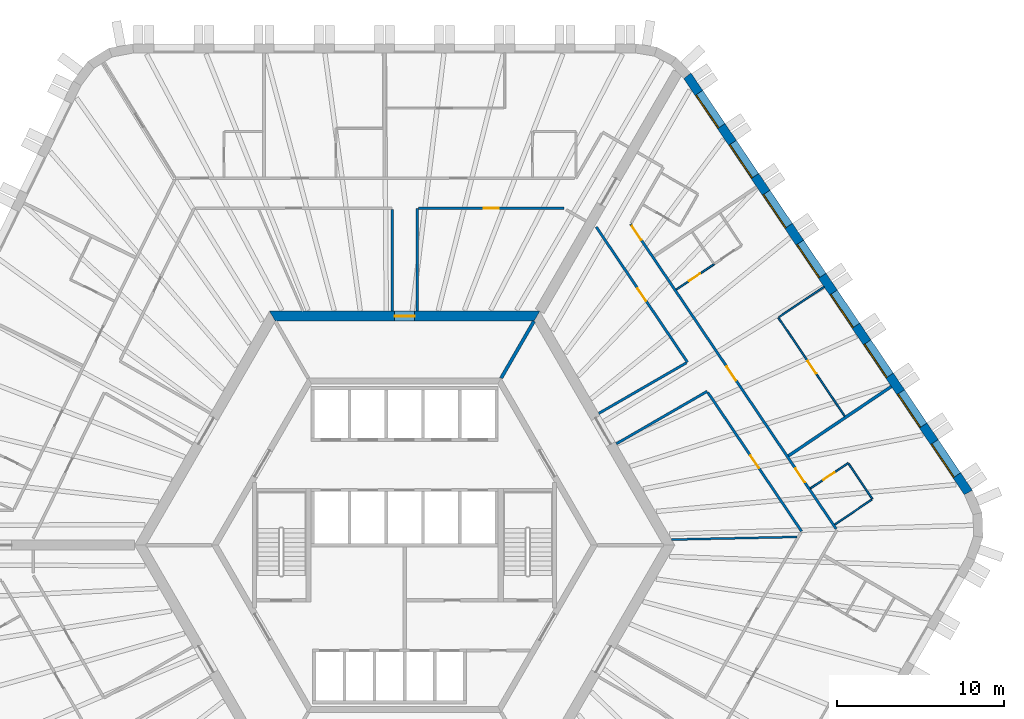
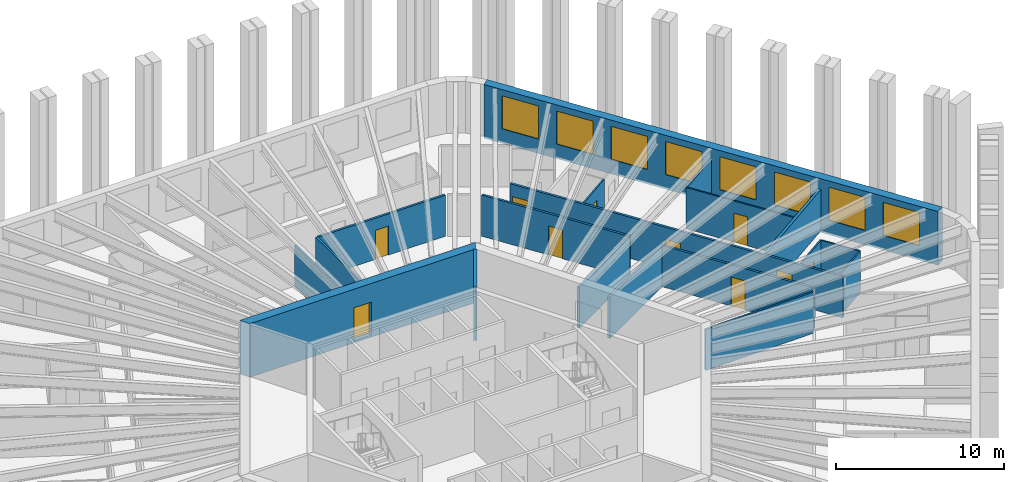
# One storey, part 9 of 13: 19 walls, 10 doors, 8 windows, 18 openings.
"""IFC4 building model written with IfcOpenShell, lengths in metres."""

from ifc_helpers import new_model, si_unit, direction, frame, frame_2d, origin, place, context, subcontext, project, spatial, polyline, rectangle, outline, extrude, material, layer, layer_set, type_object, element, fill, save


model = new_model("IFC4")

# Units and contexts
model_context = context("Model", 3, precision=1e-05, world=origin(), true_north=direction((0.0, 1.0)))
body_context = subcontext(model_context, "Body", "Model", "MODEL_VIEW")
ifc_project = project(units=[si_unit("LENGTHUNIT", "METRE"), si_unit("AREAUNIT", "SQUARE_METRE"), si_unit("VOLUMEUNIT", "CUBIC_METRE"), si_unit("PLANEANGLEUNIT", "RADIAN"), si_unit("MASSUNIT", "GRAM", prefix="KILO")], contexts=[model_context])

# Site, building, storey
site_placement = place(None, origin())
site = spatial("IfcSite", under=ifc_project, at=site_placement, CompositionType="ELEMENT")
building_placement = place(site_placement, origin())
building = spatial("IfcBuilding", under=site, at=building_placement, Name="Tarnside Tower", CompositionType="ELEMENT")
storey_placement = place(building_placement, frame((0.0, 0.0, 123.300048828125)))
storey = spatial("IfcBuildingStorey", under=building, at=storey_placement, Name="L28", CompositionType="ELEMENT", Elevation=123.300048828125)

# Wall, opening, door
ifc_material_1 = material(Name="Gypsum board partition on steel studs", Category="steel")
ifc_layer_1 = layer(ifc_material_1, 0.10009765625)
ifc_layer_set_1 = layer_set([ifc_layer_1], Name="Bathroom wall 100")
wall_type_1 = type_object("IfcWallType", Name="Bathroom wall 100", PredefinedType="PARTITIONING", material=ifc_layer_set_1)
wall_1_placement = place(storey_placement, frame((24.27978515625, 3.390869140625, 0.0), z_axis=(0.0, 0.0, 1.0), x_axis=(0.829005477618, 0.559240483226, 0.0)))
wall_1 = element("IfcWall", 1, at=wall_1_placement, inside=storey, type_object=wall_type_1, Name="Bathroom wall 09157", PredefinedType="PARTITIONING", context=body_context, shape_type="SweptSolid", body=[
    extrude(rectangle(XDim=2.72509765625, YDim=0.10009765625, at=frame_2d((1.362548828125, 0.0))), origin(), (0.0, 0.0, 1.0), 2.98779296875),
])
opening_1_placement = place(wall_1_placement, frame((0.925048828125, 0.0, 0.0)))
opening_1 = element("IfcOpeningElement", 2, at=opening_1_placement, cuts=wall_1, Name="Opening D-B1", PredefinedType="OPENING", context=body_context, shape_type="SweptSolid", body=[
    extrude(rectangle(XDim=0.800048828125, YDim=2.10009765625, at=frame_2d((0.39990234375, 1.050048828125))), frame((0.0, 0.06005859375, 0.0), z_axis=(0.0, -1.0, 0.0), x_axis=(1.0, 0.0, 0.0)), (0.0, 0.0, 1.0), 0.1201171875),
])
ifc_material_2 = material(Name="Timber door leaf", Category="wood")
door_type_1 = type_object("IfcDoorType", Name="Bathroom door 800", OperationType="NOTDEFINED", PredefinedType="DOOR", material=ifc_material_2)
door_1_placement = place(opening_1_placement, origin())
door_1 = element("IfcDoor", 3, at=door_1_placement, inside=storey, type_object=door_type_1, Name="Bathroom door 09038", OperationType="SINGLE_SWING_RIGHT", OverallHeight=2.10009765625, OverallWidth=0.800048828125, PredefinedType="DOOR", context=body_context, shape_type="SweptSolid", body=[
    extrude(rectangle(XDim=0.800048828125, YDim=2.10009765625, at=frame_2d((0.39990234375, 1.050048828125))), frame((0.0, 0.02490234375, 0.0), z_axis=(0.0, -1.0, 0.0), x_axis=(1.0, 0.0, 0.0)), (0.0, 0.0, 1.0), 0.050048828125),
])
fill(opening_1, door_1)

# Walls
wall_2_placement = place(storey_placement, frame((26.56689453125, 4.873291015625, 0.0), z_axis=(0.0, 0.0, 1.0), x_axis=(0.559155442782, -0.829062838878, 0.0)))
element("IfcWall", 4, at=wall_2_placement, inside=storey, type_object=wall_type_1, Name="Bathroom wall 09158", PredefinedType="PARTITIONING", context=body_context, shape_type="SweptSolid", body=[
    extrude(rectangle(XDim=2.5498046875, YDim=0.10009765625, at=frame_2d((1.27490234375, 0.0))), origin(), (0.0, 0.0, 1.0), 2.98779296875),
])
wall_3_placement = place(storey_placement, frame((27.951416015625, 2.731201171875, 0.0), z_axis=(0.0, 0.0, 1.0), x_axis=(-0.82904753069, -0.559178139645, 0.0)))
element("IfcWall", 5, at=wall_3_placement, inside=storey, type_object=wall_type_1, Name="Bathroom wall 09159", PredefinedType="PARTITIONING", context=body_context, shape_type="SweptSolid", body=[
    extrude(rectangle(XDim=2.675048828125, YDim=0.10009765625, at=frame_2d((1.33740234375, 0.0))), origin(), (0.0, 0.0, 1.0), 2.98779296875),
])

# Wall, opening, door
wall_4_placement = place(storey_placement, frame((18.51171875, 16.8154296875, 0.0), z_axis=(0.0, 0.0, 1.0), x_axis=(-0.829005477618, -0.559240483226, 0.0)))
wall_4 = element("IfcWall", 6, at=wall_4_placement, inside=storey, type_object=wall_type_1, Name="Bathroom wall 09162", PredefinedType="PARTITIONING", context=body_context, shape_type="SweptSolid", body=[
    extrude(rectangle(XDim=2.72509765625, YDim=0.10009765625, at=frame_2d((1.362548828125, 0.0))), origin(), (0.0, 0.0, 1.0), 2.98779296875),
])
opening_2_placement = place(wall_4_placement, frame((1.0, 0.0, 0.0)))
opening_2 = element("IfcOpeningElement", 7, at=opening_2_placement, cuts=wall_4, Name="Opening D-B1", PredefinedType="OPENING", context=body_context, shape_type="SweptSolid", body=[
    extrude(rectangle(XDim=0.800048828125, YDim=2.10009765625, at=frame_2d((0.39990234375, 1.050048828125))), frame((0.0, 0.06005859375, 0.0), z_axis=(0.0, -1.0, 0.0), x_axis=(1.0, 0.0, 0.0)), (0.0, 0.0, 1.0), 0.1201171875),
])
door_2_placement = place(opening_2_placement, origin())
door_2 = element("IfcDoor", 8, at=door_2_placement, inside=storey, type_object=door_type_1, Name="Bathroom door 09040", OperationType="SINGLE_SWING_LEFT", OverallHeight=2.10009765625, OverallWidth=0.800048828125, PredefinedType="DOOR", context=body_context, shape_type="SweptSolid", body=[
    extrude(rectangle(XDim=0.800048828125, YDim=2.10009765625, at=frame_2d((0.39990234375, 1.050048828125))), frame((0.0, 0.02490234375, 0.0), z_axis=(0.0, -1.0, 0.0), x_axis=(1.0, 0.0, 0.0)), (0.0, 0.0, 1.0), 0.050048828125),
])
fill(opening_2, door_2)

ifc_material_3 = material(Name="Concrete C80/95", Category="concrete")
ifc_layer_2 = layer(ifc_material_3, 0.60009765625)
ifc_layer_set_2 = layer_set([ifc_layer_2], Name="Core wall Z1 600 C80/95")
wall_type_2 = type_object("IfcWallType", Name="Core wall Z1 600 C80/95", PredefinedType="SHEAR", material=ifc_layer_set_2)
wall_5_placement = place(storey_placement, frame((7.90966796875, 13.699951171875, -0.150146484375), z_axis=(0.0, 0.0, 1.0), x_axis=(-1.0, 0.0, 0.0)))
wall_5 = element("IfcWall", 9, at=wall_5_placement, inside=storey, type_object=wall_type_2, Name="L28 core wall face 1", PredefinedType="SHEAR", context=body_context, shape_type="SweptSolid", body=[
    extrude(outline(polyline([(-0.17333984375, -0.300048828125), (15.99267578125, -0.300048828125), (15.64599609375, 0.300048828125), (0.17333984375, 0.300048828125), (-0.17333984375, -0.300048828125)])), origin(), (0.0, 0.0, 1.0), 3.900146484375),
])
opening_3_placement = place(wall_5_placement, frame((7.309814453125, 0.0, 0.14990234375)))
opening_3 = element("IfcOpeningElement", 10, at=opening_3_placement, cuts=wall_5, Name="Opening CD-RSR", PredefinedType="OPENING", context=body_context, shape_type="SweptSolid", body=[
    extrude(rectangle(XDim=1.199951171875, YDim=2.39990234375, at=frame_2d((0.60009765625, 1.199951171875))), frame((0.0, 0.31005859375, 0.0), z_axis=(0.0, -1.0, 0.0), x_axis=(1.0, 0.0, 0.0)), (0.0, 0.0, 1.0), 0.6201171875),
])
ifc_material_4 = material(Name="Steel fire door", Category="steel")
door_type_2 = type_object("IfcDoorType", Name="Riser door FD60 1200x2400", OperationType="NOTDEFINED", PredefinedType="DOOR", material=ifc_material_4)
door_3_placement = place(opening_3_placement, origin())
door_3 = element("IfcDoor", 11, at=door_3_placement, inside=storey, type_object=door_type_2, Name="L28 core door S5", OperationType="SINGLE_SWING_LEFT", OverallHeight=2.39990234375, OverallWidth=1.199951171875, PredefinedType="DOOR", context=body_context, shape_type="SweptSolid", body=[
    extrude(rectangle(XDim=1.199951171875, YDim=2.39990234375, at=frame_2d((0.60009765625, 1.199951171875))), frame((0.0, 0.02490234375, 0.0), z_axis=(0.0, -1.0, 0.0), x_axis=(1.0, 0.0, 0.0)), (0.0, 0.0, 1.0), 0.050048828125),
])
fill(opening_3, door_3)

# Walls
ifc_layer_3 = layer(ifc_material_1, 0.14990234375)
ifc_layer_set_3 = layer_set([ifc_layer_3], Name="Corridor wall 150 EI 60")
wall_type_3 = type_object("IfcWallType", Name="Corridor wall 150 EI 60", PredefinedType="PARTITIONING", material=ifc_layer_set_3)
wall_6_placement = place(storey_placement, frame((-0.75, 20.074951171875, 0.0), z_axis=(0.0, 0.0, 1.0), x_axis=(0.0, -1.0, 0.0)))
element("IfcWall", 12, at=wall_6_placement, inside=storey, type_object=wall_type_3, Name="Corridor wall 09018", PredefinedType="PARTITIONING", context=body_context, shape_type="SweptSolid", body=[
    extrude(rectangle(XDim=6.074951171875, YDim=0.14990234375, at=frame_2d((3.03759765625, 0.0))), origin(), (0.0, 0.0, 1.0), 2.98779296875),
])
wall_7_placement = place(storey_placement, frame((0.75, 14.0, 0.0), z_axis=(0.0, 0.0, 1.0), x_axis=(0.0, 1.0, 0.0)))
element("IfcWall", 13, at=wall_7_placement, inside=storey, type_object=wall_type_3, Name="Corridor wall 09022", PredefinedType="PARTITIONING", context=body_context, shape_type="SweptSolid", body=[
    extrude(rectangle(XDim=6.14990234375, YDim=0.14990234375, at=frame_2d((3.074951171875, 0.0))), origin(), (0.0, 0.0, 1.0), 2.98779296875),
])

# Wall, opening, door
wall_8_placement = place(storey_placement, frame((0.824951171875, 20.14990234375, 0.0), z_axis=(0.0, 0.0, 1.0), x_axis=(1.0, 0.0, 0.0)))
wall_8 = element("IfcWall", 14, at=wall_8_placement, inside=storey, type_object=wall_type_3, Name="Corridor wall 09023", PredefinedType="PARTITIONING", context=body_context, shape_type="SweptSolid", body=[
    extrude(rectangle(XDim=8.712158203125, YDim=0.14990234375, at=frame_2d((4.35595703125, 0.0))), origin(), (0.0, 0.0, 1.0), 2.98779296875),
])
opening_4_placement = place(wall_8_placement, frame((3.906005859375, 0.0, 0.0)))
opening_4 = element("IfcOpeningElement", 15, at=opening_4_placement, cuts=wall_8, Name="Opening D-S1", PredefinedType="OPENING", context=body_context, shape_type="SweptSolid", body=[
    extrude(rectangle(XDim=0.89990234375, YDim=2.10009765625, at=frame_2d((0.449951171875, 1.050048828125))), frame((0.0, 0.0849609375, 0.0), z_axis=(0.0, -1.0, 0.0), x_axis=(1.0, 0.0, 0.0)), (0.0, 0.0, 1.0), 0.169921875),
])
door_type_3 = type_object("IfcDoorType", Name="Service room door 900 FD30S", OperationType="NOTDEFINED", PredefinedType="DOOR", material=ifc_material_2)
door_4_placement = place(opening_4_placement, origin())
door_4 = element("IfcDoor", 16, at=door_4_placement, inside=storey, type_object=door_type_3, Name="Service door 09047", OperationType="SINGLE_SWING_RIGHT", OverallHeight=2.10009765625, OverallWidth=0.89990234375, PredefinedType="DOOR", context=body_context, shape_type="SweptSolid", body=[
    extrude(rectangle(XDim=0.89990234375, YDim=2.10009765625, at=frame_2d((0.449951171875, 1.050048828125))), frame((0.0, 0.02490234375, 0.0), z_axis=(0.0, -1.0, 0.0), x_axis=(1.0, 0.0, 0.0)), (0.0, 0.0, 1.0), 0.050048828125),
])
fill(opening_4, door_4)

# Wall, openings, doors
wall_9_placement = place(storey_placement, frame((25.820556640625, 0.972412109375, 0.0), z_axis=(0.0, 0.0, 1.0), x_axis=(-0.559193816298, 0.829036956845, 0.0)))
wall_9 = element("IfcWall", 17, at=wall_9_placement, inside=storey, type_object=wall_type_3, Name="Corridor wall 09060", PredefinedType="PARTITIONING", context=body_context, shape_type="SweptSolid", body=[
    extrude(rectangle(XDim=22.001708984375, YDim=0.14990234375, at=frame_2d((11.0009765625, 0.0))), origin(), (0.0, 0.0, 1.0), 2.98779296875),
])
opening_5_placement = place(wall_9_placement, frame((3.368896484375, 0.0, 0.0)))
opening_5 = element("IfcOpeningElement", 18, at=opening_5_placement, cuts=wall_9, Name="Opening D-E1", PredefinedType="OPENING", context=body_context, shape_type="SweptSolid", body=[
    extrude(rectangle(XDim=1.0, YDim=2.10009765625, at=frame_2d((0.5, 1.050048828125))), frame((0.0, 0.0849609375, 0.0), z_axis=(0.0, -1.0, 0.0), x_axis=(1.0, 0.0, 0.0)), (0.0, 0.0, 1.0), 0.169921875),
])
opening_6_placement = place(wall_9_placement, frame((10.721435546875, 0.0, 0.0)))
opening_6 = element("IfcOpeningElement", 19, at=opening_6_placement, cuts=wall_9, Name="Opening D-E1", PredefinedType="OPENING", context=body_context, shape_type="SweptSolid", body=[
    extrude(rectangle(XDim=1.0, YDim=2.10009765625, at=frame_2d((0.5, 1.050048828125))), frame((0.0, 0.0849609375, 0.0), z_axis=(0.0, -1.0, 0.0), x_axis=(1.0, 0.0, 0.0)), (0.0, 0.0, 1.0), 0.169921875),
])
opening_7_placement = place(wall_9_placement, frame((20.851806640625, 0.0, 0.0)))
opening_7 = element("IfcOpeningElement", 20, at=opening_7_placement, cuts=wall_9, Name="Opening D-E1", PredefinedType="OPENING", context=body_context, shape_type="SweptSolid", body=[
    extrude(rectangle(XDim=1.0, YDim=2.10009765625, at=frame_2d((0.5, 1.050048828125))), frame((0.0, 0.0849609375, 0.0), z_axis=(0.0, -1.0, 0.0), x_axis=(1.0, 0.0, 0.0)), (0.0, 0.0, 1.0), 0.169921875),
])
door_type_4 = type_object("IfcDoorType", Name="Unit entrance door 1000 FD30S", OperationType="NOTDEFINED", PredefinedType="DOOR", material=ifc_material_2)
door_5_placement = place(opening_5_placement, origin())
door_5 = element("IfcDoor", 21, at=door_5_placement, inside=storey, type_object=door_type_4, Name="Unit door 09037", OperationType="SINGLE_SWING_LEFT", OverallHeight=2.10009765625, OverallWidth=1.0, PredefinedType="DOOR", context=body_context, shape_type="SweptSolid", body=[
    extrude(rectangle(XDim=1.0, YDim=2.10009765625, at=frame_2d((0.5, 1.050048828125))), frame((0.0, 0.02490234375, 0.0), z_axis=(0.0, -1.0, 0.0), x_axis=(1.0, 0.0, 0.0)), (0.0, 0.0, 1.0), 0.050048828125),
])
fill(opening_5, door_5)
door_6_placement = place(opening_6_placement, origin())
door_6 = element("IfcDoor", 22, at=door_6_placement, inside=storey, type_object=door_type_4, Name="Unit door 09039", OperationType="SINGLE_SWING_RIGHT", OverallHeight=2.10009765625, OverallWidth=1.0, PredefinedType="DOOR", context=body_context, shape_type="SweptSolid", body=[
    extrude(rectangle(XDim=1.0, YDim=2.10009765625, at=frame_2d((0.5, 1.050048828125))), frame((0.0, 0.02490234375, 0.0), z_axis=(0.0, -1.0, 0.0), x_axis=(1.0, 0.0, 0.0)), (0.0, 0.0, 1.0), 0.050048828125),
])
fill(opening_6, door_6)
door_7_placement = place(opening_7_placement, origin())
door_7 = element("IfcDoor", 23, at=door_7_placement, inside=storey, type_object=door_type_4, Name="Unit door 09043", OperationType="SINGLE_SWING_LEFT", OverallHeight=2.10009765625, OverallWidth=1.0, PredefinedType="DOOR", context=body_context, shape_type="SweptSolid", body=[
    extrude(rectangle(XDim=1.0, YDim=2.10009765625, at=frame_2d((0.5, 1.050048828125))), frame((0.0, 0.02490234375, 0.0), z_axis=(0.0, -1.0, 0.0), x_axis=(1.0, 0.0, 0.0)), (0.0, 0.0, 1.0), 0.050048828125),
])
fill(opening_7, door_7)

# Wall
wall_10_placement = place(storey_placement, frame((12.663818359375, 6.065673828125, 0.0), z_axis=(0.0, 0.0, 1.0), x_axis=(0.866036561919, 0.499980673046, 0.0)))
element("IfcWall", 24, at=wall_10_placement, inside=storey, type_object=wall_type_3, Name="Corridor wall 09073", PredefinedType="PARTITIONING", context=body_context, shape_type="SweptSolid", body=[
    extrude(rectangle(XDim=6.274658203125, YDim=0.14990234375, at=frame_2d((3.13720703125, 0.0))), origin(), (0.0, 0.0, 1.0), 2.98779296875),
])

# Wall, opening, door
wall_11_placement = place(storey_placement, frame((18.139892578125, 9.140625, 0.0), z_axis=(0.0, 0.0, 1.0), x_axis=(0.55918799196, -0.829040885389, 0.0)))
wall_11 = element("IfcWall", 25, at=wall_11_placement, inside=storey, type_object=wall_type_3, Name="Corridor wall 09074", PredefinedType="PARTITIONING", context=body_context, shape_type="SweptSolid", body=[
    extrude(rectangle(XDim=10.025146484375, YDim=0.14990234375, at=frame_2d((5.0126953125, 0.0))), origin(), (0.0, 0.0, 1.0), 2.98779296875),
])
opening_8_placement = place(wall_11_placement, frame((4.562744140625, 0.0, 0.0)))
opening_8 = element("IfcOpeningElement", 26, at=opening_8_placement, cuts=wall_11, Name="Opening D-S1", PredefinedType="OPENING", context=body_context, shape_type="SweptSolid", body=[
    extrude(rectangle(XDim=0.89990234375, YDim=2.10009765625, at=frame_2d((0.449951171875, 1.050048828125))), frame((0.0, 0.0849609375, 0.0), z_axis=(0.0, -1.0, 0.0), x_axis=(1.0, 0.0, 0.0)), (0.0, 0.0, 1.0), 0.169921875),
])
door_8_placement = place(opening_8_placement, origin())
door_8 = element("IfcDoor", 27, at=door_8_placement, inside=storey, type_object=door_type_3, Name="Service door 09054", OperationType="SINGLE_SWING_RIGHT", OverallHeight=2.10009765625, OverallWidth=0.89990234375, PredefinedType="DOOR", context=body_context, shape_type="SweptSolid", body=[
    extrude(rectangle(XDim=0.89990234375, YDim=2.10009765625, at=frame_2d((0.449951171875, 1.050048828125))), frame((0.0, 0.02490234375, 0.0), z_axis=(0.0, -1.0, 0.0), x_axis=(1.0, 0.0, 0.0)), (0.0, 0.0, 1.0), 0.050048828125),
])
fill(opening_8, door_8)

wall_12_placement = place(storey_placement, frame((11.464599609375, 19.037109375, 0.0), z_axis=(0.0, 0.0, 1.0), x_axis=(0.559196064773, -0.829035440221, 0.0)))
wall_12 = element("IfcWall", 28, at=wall_12_placement, inside=storey, type_object=wall_type_3, Name="Corridor wall 09079", PredefinedType="PARTITIONING", context=body_context, shape_type="SweptSolid", body=[
    extrude(rectangle(XDim=9.757080078125, YDim=0.14990234375, at=frame_2d((4.87841796875, 0.0))), origin(), (0.0, 0.0, 1.0), 2.98779296875),
])
opening_9_placement = place(wall_12_placement, frame((4.428466796875, 0.0, 0.0)))
opening_9 = element("IfcOpeningElement", 29, at=opening_9_placement, cuts=wall_12, Name="Opening D-S1", PredefinedType="OPENING", context=body_context, shape_type="SweptSolid", body=[
    extrude(rectangle(XDim=0.89990234375, YDim=2.10009765625, at=frame_2d((0.449951171875, 1.050048828125))), frame((0.0, 0.0849609375, 0.0), z_axis=(0.0, -1.0, 0.0), x_axis=(1.0, 0.0, 0.0)), (0.0, 0.0, 1.0), 0.169921875),
])
door_9_placement = place(opening_9_placement, origin())
door_9 = element("IfcDoor", 30, at=door_9_placement, inside=storey, type_object=door_type_3, Name="Service door 09056", OperationType="SINGLE_SWING_RIGHT", OverallHeight=2.10009765625, OverallWidth=0.89990234375, PredefinedType="DOOR", context=body_context, shape_type="SweptSolid", body=[
    extrude(rectangle(XDim=0.89990234375, YDim=2.10009765625, at=frame_2d((0.449951171875, 1.050048828125))), frame((0.0, 0.02490234375, 0.0), z_axis=(0.0, -1.0, 0.0), x_axis=(1.0, 0.0, 0.0)), (0.0, 0.0, 1.0), 0.050048828125),
])
fill(opening_9, door_9)

# Walls
wall_13_placement = place(storey_placement, frame((16.85546875, 10.91064453125, 0.0), z_axis=(0.0, 0.0, 1.0), x_axis=(-0.866020343444, -0.500008764664, 0.0)))
element("IfcWall", 31, at=wall_13_placement, inside=storey, type_object=wall_type_3, Name="Corridor wall 09080", PredefinedType="PARTITIONING", context=body_context, shape_type="SweptSolid", body=[
    extrude(rectangle(XDim=6.052734375, YDim=0.14990234375, at=frame_2d((3.0263671875, 0.0))), origin(), (0.0, 0.0, 1.0), 2.98779296875),
])
ifc_layer_4 = layer(ifc_material_1, 0.179931640625)
ifc_layer_set_4 = layer_set([ifc_layer_4], Name="Demising wall 180 EI 60")
wall_type_4 = type_object("IfcWallType", Name="Demising wall 180 EI 60", PredefinedType="PARTITIONING", material=ifc_layer_set_4)
wall_14_placement = place(storey_placement, frame((29.11865234375, 9.4951171875, 0.0), z_axis=(0.0, 0.0, 1.0), x_axis=(-0.829038452737, -0.559191598545, 0.0)))
element("IfcWall", 32, at=wall_14_placement, inside=storey, type_object=wall_type_4, Name="Demising wall 09160", PredefinedType="PARTITIONING", context=body_context, shape_type="SweptSolid", body=[
    extrude(rectangle(XDim=7.42529296875, YDim=0.179931640625, at=frame_2d((3.712646484375, 0.0))), origin(), (0.0, 0.0, 1.0), 2.98779296875),
])
ifc_material_5 = material(Name="Concrete C40/50", Category="concrete")
ifc_layer_5 = layer(ifc_material_5, 0.199951171875)
ifc_layer_set_5 = layer_set([ifc_layer_5], Name="Lift shaft wall 200 C40/50")
wall_type_5 = type_object("IfcWallType", Name="Lift shaft wall 200 C40/50", PredefinedType="SHEAR", material=ifc_layer_set_5)
wall_15_placement = place(storey_placement, frame((5.7734375, 10.0, -0.150146484375), z_axis=(0.0, 0.0, 1.0), x_axis=(0.500038251005, 0.86600331843, 0.0)))
element("IfcWall", 33, at=wall_15_placement, inside=storey, type_object=wall_type_5, Name="L28 core partition AR60", PredefinedType="SHEAR", context=body_context, shape_type="SweptSolid", body=[
    extrude(rectangle(XDim=3.926025390625, YDim=0.199951171875, at=frame_2d((1.962890625, 0.0))), origin(), (0.0, 0.0, 1.0), 3.900146484375),
])

# Wall, opening, door
ifc_layer_6 = layer(ifc_material_1, 0.10009765625)
ifc_layer_set_6 = layer_set([ifc_layer_6], Name="Partition 100")
wall_type_6 = type_object("IfcWallType", Name="Partition 100", PredefinedType="PARTITIONING", material=ifc_layer_set_6)
wall_16_placement = place(storey_placement, frame((26.33251953125, 7.724365234375, 0.0), z_axis=(0.0, 0.0, 1.0), x_axis=(-0.559185029686, 0.829042883435, 0.0)))
wall_16 = element("IfcWall", 34, at=wall_16_placement, inside=storey, type_object=wall_type_6, Name="Partition wall 09165", PredefinedType="PARTITIONING", context=body_context, shape_type="SweptSolid", body=[
    extrude(rectangle(XDim=7.110107421875, YDim=0.10009765625, at=frame_2d((3.55517578125, 0.0))), origin(), (0.0, 0.0, 1.0), 2.98779296875),
])
opening_10_placement = place(wall_16_placement, frame((3.06005859375, 0.0, 0.0)))
opening_10 = element("IfcOpeningElement", 35, at=opening_10_placement, cuts=wall_16, Name="Opening D-I1", PredefinedType="OPENING", context=body_context, shape_type="SweptSolid", body=[
    extrude(rectangle(XDim=0.89990234375, YDim=2.10009765625, at=frame_2d((0.449951171875, 1.050048828125))), frame((0.0, 0.06005859375, 0.0), z_axis=(0.0, -1.0, 0.0), x_axis=(1.0, 0.0, 0.0)), (0.0, 0.0, 1.0), 0.1201171875),
])
door_type_5 = type_object("IfcDoorType", Name="Internal door 900", OperationType="NOTDEFINED", PredefinedType="DOOR", material=ifc_material_2)
door_10_placement = place(opening_10_placement, origin())
door_10 = element("IfcDoor", 36, at=door_10_placement, inside=storey, type_object=door_type_5, Name="Internal door 09042", OperationType="SINGLE_SWING_RIGHT", OverallHeight=2.10009765625, OverallWidth=0.89990234375, PredefinedType="DOOR", context=body_context, shape_type="SweptSolid", body=[
    extrude(rectangle(XDim=0.89990234375, YDim=2.10009765625, at=frame_2d((0.449951171875, 1.050048828125))), frame((0.0, 0.02490234375, 0.0), z_axis=(0.0, -1.0, 0.0), x_axis=(1.0, 0.0, 0.0)), (0.0, 0.0, 1.0), 0.050048828125),
])
fill(opening_10, door_10)

# Walls
wall_17_placement = place(storey_placement, frame((22.39794921875, 13.646728515625, 0.0), z_axis=(0.0, 0.0, 1.0), x_axis=(0.829033253898, 0.55919930609, 0.0)))
element("IfcWall", 37, at=wall_17_placement, inside=storey, type_object=wall_type_6, Name="Partition wall 09166", PredefinedType="PARTITIONING", context=body_context, shape_type="SweptSolid", body=[
    extrude(rectangle(XDim=3.25, YDim=0.10009765625, at=frame_2d((1.625, 0.0))), origin(), (0.0, 0.0, 1.0), 2.98779296875),
])
ifc_layer_7 = layer(ifc_material_1, 0.1201171875)
ifc_layer_set_7 = layer_set([ifc_layer_7], Name="Service room wall 120 EI 60")
wall_type_7 = type_object("IfcWallType", Name="Service room wall 120 EI 60", PredefinedType="PARTITIONING", material=ifc_layer_set_7)
wall_18_placement = place(storey_placement, frame((23.465576171875, 0.493408203125, 0.0), z_axis=(0.0, 0.0, 1.0), x_axis=(-0.999779281543, -0.021009240783, 0.0)))
element("IfcWall", 38, at=wall_18_placement, inside=storey, type_object=wall_type_7, Name="Service wall 09176", PredefinedType="PARTITIONING", context=body_context, shape_type="SweptSolid", body=[
    extrude(rectangle(XDim=7.495361328125, YDim=0.1201171875, at=frame_2d((3.74755859375, 0.0))), origin(), (0.0, 0.0, 1.0), 2.98779296875),
])

# Wall, openings, windows
ifc_material_6 = material(Name="Facing brick", Category="masonry")
ifc_layer_8 = layer(ifc_material_6, 0.10205078125)
ifc_material_7 = material(Name="Concrete C60/75 precast", Category="concrete")
ifc_layer_9 = layer(ifc_material_7, 0.347900390625)
ifc_material_8 = material(Name="Mineral wool insulation")
ifc_layer_10 = layer(ifc_material_8, 0.10009765625)
ifc_layer_set_8 = layer_set([ifc_layer_8, ifc_layer_9, ifc_layer_10], Name="Tube wall 550 brick faced")
wall_type_8 = type_object("IfcWallType", Name="Tube wall 550 brick faced", PredefinedType="SOLIDWALL", material=ifc_layer_set_8)
wall_19_placement = place(storey_placement, frame((33.72802734375, 3.153076171875, -0.150146484375), z_axis=(0.0, 0.0, 1.0), x_axis=(-0.559192411416, 0.82903790445, 0.0)))
wall_19 = element("IfcWall", 39, at=wall_19_placement, inside=storey, type_object=wall_type_8, Name="Tube wall L28 F6 flush 20", PredefinedType="SOLIDWALL", context=body_context, shape_type="SweptSolid", body=[
    extrude(outline(polyline([(-0.025634765625, -0.27490234375), (30.09326171875, -0.27490234375), (30.04833984375, 0.27490234375), (0.025634765625, 0.27490234375), (-0.025634765625, -0.27490234375)])), origin(), (0.0, 0.0, 1.0), 3.900146484375),
])
opening_11_placement = place(wall_19_placement, frame((1.235595703125, 0.0, 1.050048828125)))
opening_11 = element("IfcOpeningElement", 40, at=opening_11_placement, cuts=wall_19, Name="Opening WH", PredefinedType="OPENING", context=body_context, shape_type="SweptSolid", body=[
    extrude(rectangle(XDim=2.39990234375, YDim=2.39990234375, at=frame_2d((1.199951171875, 1.199951171875))), frame((0.0, 0.28515625, 0.0), z_axis=(0.0, -1.0, 0.0), x_axis=(1.0, 0.0, 0.0)), (0.0, 0.0, 1.0), 0.570068359375),
])
opening_12_placement = place(wall_19_placement, frame((4.83544921875, 0.0, 1.050048828125)))
opening_12 = element("IfcOpeningElement", 41, at=opening_12_placement, cuts=wall_19, Name="Opening WH", PredefinedType="OPENING", context=body_context, shape_type="SweptSolid", body=[
    extrude(rectangle(XDim=2.39990234375, YDim=2.39990234375, at=frame_2d((1.199951171875, 1.199951171875))), frame((0.0, 0.28515625, 0.0), z_axis=(0.0, -1.0, 0.0), x_axis=(1.0, 0.0, 0.0)), (0.0, 0.0, 1.0), 0.570068359375),
])
opening_13_placement = place(wall_19_placement, frame((8.435546875, 0.0, 1.050048828125)))
opening_13 = element("IfcOpeningElement", 42, at=opening_13_placement, cuts=wall_19, Name="Opening WH", PredefinedType="OPENING", context=body_context, shape_type="SweptSolid", body=[
    extrude(rectangle(XDim=2.39990234375, YDim=2.39990234375, at=frame_2d((1.199951171875, 1.199951171875))), frame((0.0, 0.28515625, 0.0), z_axis=(0.0, -1.0, 0.0), x_axis=(1.0, 0.0, 0.0)), (0.0, 0.0, 1.0), 0.570068359375),
])
opening_14_placement = place(wall_19_placement, frame((12.035400390625, 0.0, 1.050048828125)))
opening_14 = element("IfcOpeningElement", 43, at=opening_14_placement, cuts=wall_19, Name="Opening WH", PredefinedType="OPENING", context=body_context, shape_type="SweptSolid", body=[
    extrude(rectangle(XDim=2.39990234375, YDim=2.39990234375, at=frame_2d((1.199951171875, 1.199951171875))), frame((0.0, 0.28515625, 0.0), z_axis=(0.0, -1.0, 0.0), x_axis=(1.0, 0.0, 0.0)), (0.0, 0.0, 1.0), 0.570068359375),
])
opening_15_placement = place(wall_19_placement, frame((15.635498046875, 0.0, 1.050048828125)))
opening_15 = element("IfcOpeningElement", 44, at=opening_15_placement, cuts=wall_19, Name="Opening WH", PredefinedType="OPENING", context=body_context, shape_type="SweptSolid", body=[
    extrude(rectangle(XDim=2.39990234375, YDim=2.39990234375, at=frame_2d((1.199951171875, 1.199951171875))), frame((0.0, 0.28515625, 0.0), z_axis=(0.0, -1.0, 0.0), x_axis=(1.0, 0.0, 0.0)), (0.0, 0.0, 1.0), 0.570068359375),
])
opening_16_placement = place(wall_19_placement, frame((19.235595703125, 0.0, 1.050048828125)))
opening_16 = element("IfcOpeningElement", 45, at=opening_16_placement, cuts=wall_19, Name="Opening WH", PredefinedType="OPENING", context=body_context, shape_type="SweptSolid", body=[
    extrude(rectangle(XDim=2.39990234375, YDim=2.39990234375, at=frame_2d((1.199951171875, 1.199951171875))), frame((0.0, 0.28515625, 0.0), z_axis=(0.0, -1.0, 0.0), x_axis=(1.0, 0.0, 0.0)), (0.0, 0.0, 1.0), 0.570068359375),
])
opening_17_placement = place(wall_19_placement, frame((22.83544921875, 0.0, 1.050048828125)))
opening_17 = element("IfcOpeningElement", 46, at=opening_17_placement, cuts=wall_19, Name="Opening WH", PredefinedType="OPENING", context=body_context, shape_type="SweptSolid", body=[
    extrude(rectangle(XDim=2.39990234375, YDim=2.39990234375, at=frame_2d((1.199951171875, 1.199951171875))), frame((0.0, 0.28515625, 0.0), z_axis=(0.0, -1.0, 0.0), x_axis=(1.0, 0.0, 0.0)), (0.0, 0.0, 1.0), 0.570068359375),
])
opening_18_placement = place(wall_19_placement, frame((26.435546875, 0.0, 1.050048828125)))
opening_18 = element("IfcOpeningElement", 47, at=opening_18_placement, cuts=wall_19, Name="Opening WH", PredefinedType="OPENING", context=body_context, shape_type="SweptSolid", body=[
    extrude(rectangle(XDim=2.39990234375, YDim=2.39990234375, at=frame_2d((1.199951171875, 1.199951171875))), frame((0.0, 0.28515625, 0.0), z_axis=(0.0, -1.0, 0.0), x_axis=(1.0, 0.0, 0.0)), (0.0, 0.0, 1.0), 0.570068359375),
])
ifc_material_9 = material(Name="Aluminium-framed double glazing", Category="aluminium")
window_type = type_object("IfcWindowType", Name="Hotel window 2400 x 2400", PartitioningType="DOUBLE_PANEL_VERTICAL", PredefinedType="WINDOW", material=ifc_material_9)
window_1_placement = place(opening_11_placement, frame((0.0, 0.205078125, 0.0)))
window_1 = element("IfcWindow", 48, at=window_1_placement, inside=storey, type_object=window_type, Name="E.WN.L28.F6.00", OverallHeight=2.39990234375, OverallWidth=2.39990234375, PartitioningType="DOUBLE_PANEL_VERTICAL", PredefinedType="WINDOW", context=body_context, shape_type="SweptSolid", body=[
    extrude(rectangle(XDim=2.39990234375, YDim=2.39990234375, at=frame_2d((1.199951171875, 1.199951171875))), frame((0.0, 0.030029296875, 0.0), z_axis=(0.0, -1.0, 0.0), x_axis=(1.0, 0.0, 0.0)), (0.0, 0.0, 1.0), 0.06005859375),
])
fill(opening_11, window_1)
window_2_placement = place(opening_12_placement, frame((0.0, 0.205078125, 0.0)))
window_2 = element("IfcWindow", 49, at=window_2_placement, inside=storey, type_object=window_type, Name="E.WN.L28.F6.01", OverallHeight=2.39990234375, OverallWidth=2.39990234375, PartitioningType="DOUBLE_PANEL_VERTICAL", PredefinedType="WINDOW", context=body_context, shape_type="SweptSolid", body=[
    extrude(rectangle(XDim=2.39990234375, YDim=2.39990234375, at=frame_2d((1.199951171875, 1.199951171875))), frame((0.0, 0.030029296875, 0.0), z_axis=(0.0, -1.0, 0.0), x_axis=(1.0, 0.0, 0.0)), (0.0, 0.0, 1.0), 0.06005859375),
])
fill(opening_12, window_2)
window_3_placement = place(opening_13_placement, frame((0.0, 0.205078125, 0.0)))
window_3 = element("IfcWindow", 50, at=window_3_placement, inside=storey, type_object=window_type, Name="E.WN.L28.F6.02", OverallHeight=2.39990234375, OverallWidth=2.39990234375, PartitioningType="DOUBLE_PANEL_VERTICAL", PredefinedType="WINDOW", context=body_context, shape_type="SweptSolid", body=[
    extrude(rectangle(XDim=2.39990234375, YDim=2.39990234375, at=frame_2d((1.199951171875, 1.199951171875))), frame((0.0, 0.030029296875, 0.0), z_axis=(0.0, -1.0, 0.0), x_axis=(1.0, 0.0, 0.0)), (0.0, 0.0, 1.0), 0.06005859375),
])
fill(opening_13, window_3)
window_4_placement = place(opening_14_placement, frame((0.0, 0.205078125, 0.0)))
window_4 = element("IfcWindow", 51, at=window_4_placement, inside=storey, type_object=window_type, Name="E.WN.L28.F6.03", OverallHeight=2.39990234375, OverallWidth=2.39990234375, PartitioningType="DOUBLE_PANEL_VERTICAL", PredefinedType="WINDOW", context=body_context, shape_type="SweptSolid", body=[
    extrude(rectangle(XDim=2.39990234375, YDim=2.39990234375, at=frame_2d((1.199951171875, 1.199951171875))), frame((0.0, 0.030029296875, 0.0), z_axis=(0.0, -1.0, 0.0), x_axis=(1.0, 0.0, 0.0)), (0.0, 0.0, 1.0), 0.06005859375),
])
fill(opening_14, window_4)
window_5_placement = place(opening_15_placement, frame((0.0, 0.205078125, 0.0)))
window_5 = element("IfcWindow", 52, at=window_5_placement, inside=storey, type_object=window_type, Name="E.WN.L28.F6.04", OverallHeight=2.39990234375, OverallWidth=2.39990234375, PartitioningType="DOUBLE_PANEL_VERTICAL", PredefinedType="WINDOW", context=body_context, shape_type="SweptSolid", body=[
    extrude(rectangle(XDim=2.39990234375, YDim=2.39990234375, at=frame_2d((1.199951171875, 1.199951171875))), frame((0.0, 0.030029296875, 0.0), z_axis=(0.0, -1.0, 0.0), x_axis=(1.0, 0.0, 0.0)), (0.0, 0.0, 1.0), 0.06005859375),
])
fill(opening_15, window_5)
window_6_placement = place(opening_16_placement, frame((0.0, 0.205078125, 0.0)))
window_6 = element("IfcWindow", 53, at=window_6_placement, inside=storey, type_object=window_type, Name="E.WN.L28.F6.05", OverallHeight=2.39990234375, OverallWidth=2.39990234375, PartitioningType="DOUBLE_PANEL_VERTICAL", PredefinedType="WINDOW", context=body_context, shape_type="SweptSolid", body=[
    extrude(rectangle(XDim=2.39990234375, YDim=2.39990234375, at=frame_2d((1.199951171875, 1.199951171875))), frame((0.0, 0.030029296875, 0.0), z_axis=(0.0, -1.0, 0.0), x_axis=(1.0, 0.0, 0.0)), (0.0, 0.0, 1.0), 0.06005859375),
])
fill(opening_16, window_6)
window_7_placement = place(opening_17_placement, frame((0.0, 0.205078125, 0.0)))
window_7 = element("IfcWindow", 54, at=window_7_placement, inside=storey, type_object=window_type, Name="E.WN.L28.F6.06", OverallHeight=2.39990234375, OverallWidth=2.39990234375, PartitioningType="DOUBLE_PANEL_VERTICAL", PredefinedType="WINDOW", context=body_context, shape_type="SweptSolid", body=[
    extrude(rectangle(XDim=2.39990234375, YDim=2.39990234375, at=frame_2d((1.199951171875, 1.199951171875))), frame((0.0, 0.030029296875, 0.0), z_axis=(0.0, -1.0, 0.0), x_axis=(1.0, 0.0, 0.0)), (0.0, 0.0, 1.0), 0.06005859375),
])
fill(opening_17, window_7)
window_8_placement = place(opening_18_placement, frame((0.0, 0.205078125, 0.0)))
window_8 = element("IfcWindow", 55, at=window_8_placement, inside=storey, type_object=window_type, Name="E.WN.L28.F6.07", OverallHeight=2.39990234375, OverallWidth=2.39990234375, PartitioningType="DOUBLE_PANEL_VERTICAL", PredefinedType="WINDOW", context=body_context, shape_type="SweptSolid", body=[
    extrude(rectangle(XDim=2.39990234375, YDim=2.39990234375, at=frame_2d((1.199951171875, 1.199951171875))), frame((0.0, 0.030029296875, 0.0), z_axis=(0.0, -1.0, 0.0), x_axis=(1.0, 0.0, 0.0)), (0.0, 0.0, 1.0), 0.06005859375),
])
fill(opening_18, window_8)

save(model, "model.ifc")
